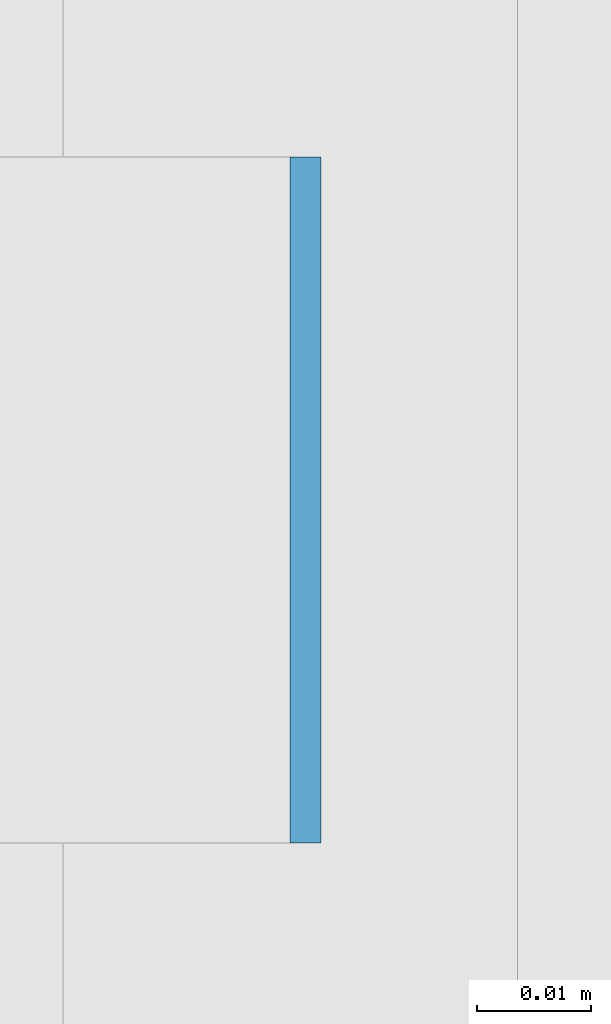
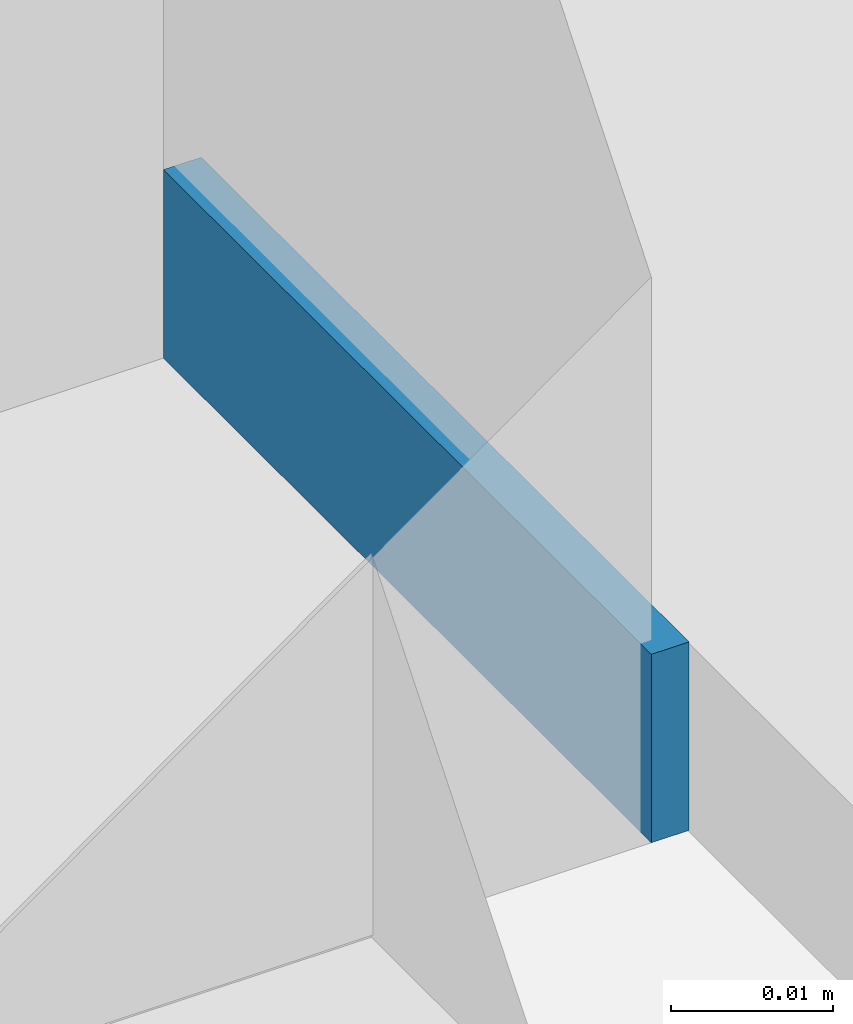
# One storey, part 244 of 646: 1 discrete accessory.
"""IFC4 building model written with IfcOpenShell, lengths in metres."""

from ifc_helpers import new_model, si_unit, direction, frame, origin, origin_2d, place, context, subcontext, project, spatial, rectangle, extrude, material, type_object, element, save


model = new_model("IFC4")

# Units and contexts
model_context = context("Model", 3, precision=1e-05, world=origin(), true_north=direction((0.0, 1.0)))
body_context = subcontext(model_context, "Body", "Model", "MODEL_VIEW")
ifc_project = project(units=[si_unit("LENGTHUNIT", "METRE"), si_unit("AREAUNIT", "SQUARE_METRE"), si_unit("VOLUMEUNIT", "CUBIC_METRE"), si_unit("PLANEANGLEUNIT", "RADIAN"), si_unit("MASSUNIT", "GRAM", prefix="KILO")], contexts=[model_context])

# Site, building, storey
site_placement = place(None, origin())
site = spatial("IfcSite", under=ifc_project, at=site_placement, CompositionType="ELEMENT")
building_placement = place(site_placement, origin())
building = spatial("IfcBuilding", under=site, at=building_placement, Name="Silverbay Arena", CompositionType="ELEMENT")
storey_placement = place(building_placement, frame((0.0, 0.0, 33.5)))
storey = spatial("IfcBuildingStorey", under=building, at=storey_placement, Name="L05", CompositionType="ELEMENT", Elevation=33.5)

# Discrete accessory
ifc_material = material(Name="Steel S355", Category="steel")
discrete_accessory_type = type_object("IfcDiscreteAccessoryType", Name="Steel bracket plate", PredefinedType="BRACKET", material=ifc_material)
discrete_accessory_placement = place(storey_placement, frame((53.871337890625, 30.2666015625, 4.0), z_axis=(0.0, 0.0, 1.0), x_axis=(1.0, 0.0, 0.0)))
element("IfcDiscreteAccessory", 1, at=discrete_accessory_placement, inside=storey, type_object=discrete_accessory_type, Name="Curtain wall packing plate", PredefinedType="BRACKET", context=body_context, shape_type="SweptSolid", body=[
    extrude(rectangle(XDim=0.002685546875, YDim=0.06005859375, at=origin_2d()), origin(), (0.0, 0.0, 1.0), 0.01416015625),
])

save(model, "model.ifc")
